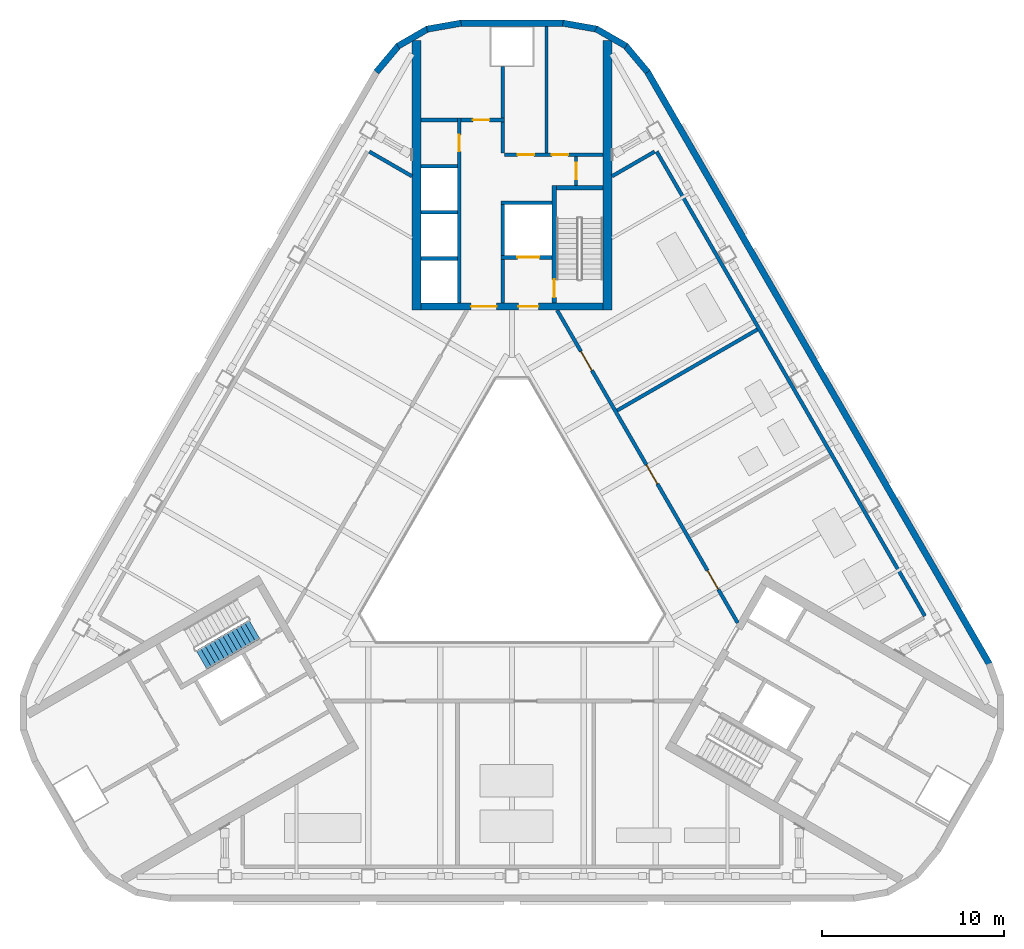
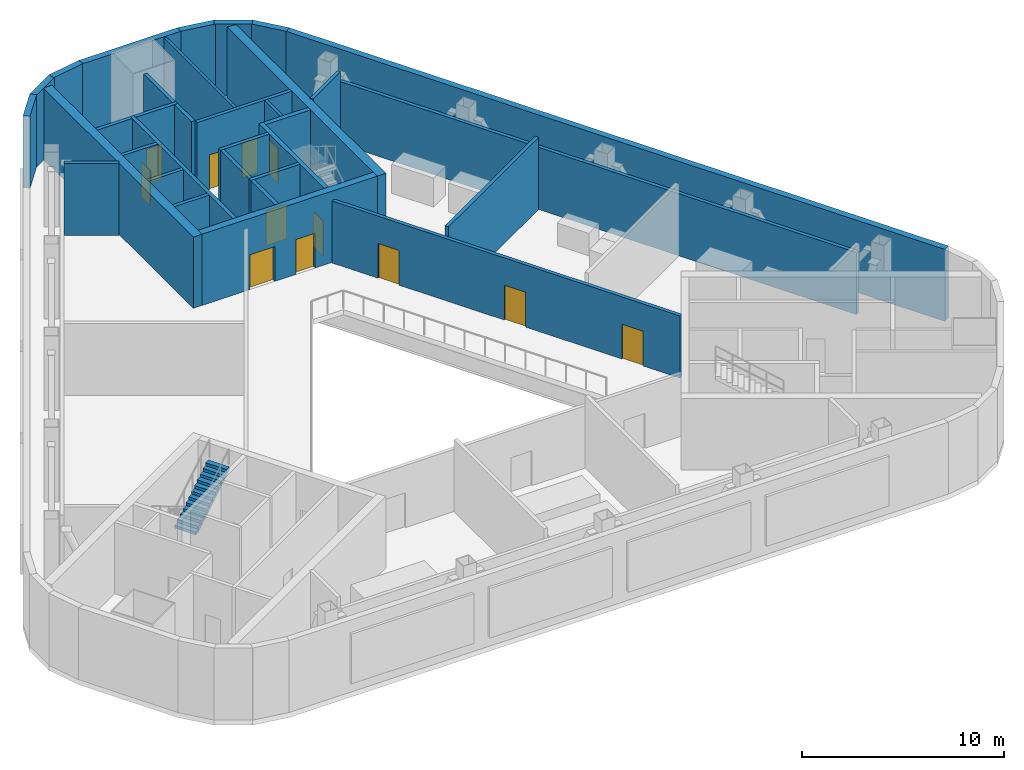
# One storey, part 8 of 14: 33 walls, 12 doors, 1 stair flight, 12 openings, 1 element without a shape of its own.
"""IFC4 building model written with IfcOpenShell, lengths in metres."""

from ifc_helpers import new_model, si_unit, direction, frame, frame_2d, origin, place, context, subcontext, project, spatial, polyline, rectangle, outline, extrude, material, layer, layer_set, type_object, element, fill, aggregate, save


model = new_model("IFC4")

# Units and contexts
model_context = context("Model", 3, precision=1e-05, world=origin(), true_north=direction((0.0, 1.0)))
body_context = subcontext(model_context, "Body", "Model", "MODEL_VIEW")
ifc_project = project(units=[si_unit("LENGTHUNIT", "METRE"), si_unit("AREAUNIT", "SQUARE_METRE"), si_unit("VOLUMEUNIT", "CUBIC_METRE"), si_unit("PLANEANGLEUNIT", "RADIAN"), si_unit("MASSUNIT", "GRAM", prefix="KILO")], contexts=[model_context])

# Site, building, storey
site_placement = place(None, origin())
site = spatial("IfcSite", under=ifc_project, at=site_placement, CompositionType="ELEMENT")
building_placement = place(site_placement, origin())
building = spatial("IfcBuilding", under=site, at=building_placement, Name="Apuvela Tower Hotel", CompositionType="ELEMENT")
storey_placement = place(building_placement, frame((0.0, 0.0, 242.199951171875)))
storey = spatial("IfcBuildingStorey", under=building, at=storey_placement, Name="L59 Plant", CompositionType="ELEMENT", Elevation=242.199951171875)

# Wall, openings, doors
ifc_material_1 = material(Name="Concrete C50/60", Category="concrete")
ifc_layer_1 = layer(ifc_material_1, 0.39990234375)
ifc_layer_set_1 = layer_set([ifc_layer_1], Name="COR-WALL-CORE-400")
wall_type_1 = type_object("IfcWallType", Name="COR-WALL-CORE-400", PredefinedType="SHEAR", material=ifc_layer_set_1)
wall_1_placement = place(storey_placement, frame((5.0, 13.10009765625, 0.0), z_axis=(0.0, 0.0, 1.0), x_axis=(-1.0, 0.0, 0.0)))
wall_1 = element("IfcWall", 1, at=wall_1_placement, inside=storey, type_object=wall_type_1, Name="Core wall N", PredefinedType="SHEAR", context=body_context, shape_type="SweptSolid", body=[
    extrude(rectangle(XDim=10.0, YDim=0.39990234375, at=frame_2d((5.0, 0.0))), origin(), (0.0, 0.0, 1.0), 4.300048828125),
])
opening_1_placement = place(wall_1_placement, frame((3.550048828125, 0.0, 0.0)))
opening_1 = element("IfcOpeningElement", 2, at=opening_1_placement, cuts=wall_1, Name="Opening N-FD", PredefinedType="OPENING", context=body_context, shape_type="SweptSolid", body=[
    extrude(rectangle(XDim=1.10009765625, YDim=2.10009765625, at=frame_2d((0.550048828125, 1.050048828125))), frame((0.0, 0.2099609375, 0.0), z_axis=(0.0, -1.0, 0.0), x_axis=(1.0, 0.0, 0.0)), (0.0, 0.0, 1.0), 0.419921875),
])
opening_2_placement = place(wall_1_placement, frame((5.85009765625, 0.0, 0.0)))
opening_2 = element("IfcOpeningElement", 3, at=opening_2_placement, cuts=wall_1, Name="Opening N-GD", PredefinedType="OPENING", context=body_context, shape_type="SweptSolid", body=[
    extrude(rectangle(XDim=1.39990234375, YDim=2.10009765625, at=frame_2d((0.699951171875, 1.050048828125))), frame((0.0, 0.2099609375, 0.0), z_axis=(0.0, -1.0, 0.0), x_axis=(1.0, 0.0, 0.0)), (0.0, 0.0, 1.0), 0.419921875),
])
ifc_material_2 = material(Name="Steel fire door, powder coated", Category="steel")
door_type_1 = type_object("IfcDoorType", Name="COR-FD-1100", OperationType="NOTDEFINED", PredefinedType="DOOR", material=ifc_material_2)
door_1_placement = place(opening_1_placement, frame((1.10009765625, 0.0, 0.0), z_axis=(0.0, 0.0, 1.0), x_axis=(-1.0, 0.0, 0.0)))
door_1 = element("IfcDoor", 4, at=door_1_placement, inside=storey, type_object=door_type_1, Name="Firefighting lobby door N-FD", OperationType="SINGLE_SWING_LEFT", OverallHeight=2.10009765625, OverallWidth=1.10009765625, PredefinedType="DOOR", context=body_context, shape_type="SweptSolid", body=[
    extrude(rectangle(XDim=1.10009765625, YDim=2.10009765625, at=frame_2d((0.550048828125, 1.050048828125))), frame((0.0, 0.02490234375, 0.0), z_axis=(0.0, -1.0, 0.0), x_axis=(1.0, 0.0, 0.0)), (0.0, 0.0, 1.0), 0.050048828125),
])
fill(opening_1, door_1)
ifc_material_3 = material(Name="Glazed steel fire door", Category="steel")
door_type_2 = type_object("IfcDoorType", Name="COR-GD-1400", OperationType="DOUBLE_DOOR_SINGLE_SWING", PredefinedType="DOOR", material=ifc_material_3)
door_2_placement = place(opening_2_placement, frame((1.39990234375, 0.0, 0.0), z_axis=(0.0, 0.0, 1.0), x_axis=(-1.0, 0.0, 0.0)))
door_2 = element("IfcDoor", 5, at=door_2_placement, inside=storey, type_object=door_type_2, Name="Lift lobby door N-GD", OperationType="DOUBLE_DOOR_SINGLE_SWING", OverallHeight=2.10009765625, OverallWidth=1.39990234375, PredefinedType="DOOR", context=body_context, shape_type="SweptSolid", body=[
    extrude(rectangle(XDim=1.39990234375, YDim=2.10009765625, at=frame_2d((0.699951171875, 1.050048828125))), frame((0.0, 0.02490234375, 0.0), z_axis=(0.0, -1.0, 0.0), x_axis=(1.0, 0.0, 0.0)), (0.0, 0.0, 1.0), 0.050048828125),
])
fill(opening_2, door_2)

# Walls
ifc_layer_2 = layer(ifc_material_1, 0.5)
ifc_layer_set_2 = layer_set([ifc_layer_2], Name="COR-WALL-CORE-500")
wall_type_2 = type_object("IfcWallType", Name="COR-WALL-CORE-500", PredefinedType="SHEAR", material=ifc_layer_set_2)
for number, where, z_axis, x_axis, name in (
    (6, (5.25, 12.89990234375, 0.0), (0.0, 0.0, 1.0), (0.0, 1.0, 0.0), "Core wall N"),
    (7, (-5.25, 12.89990234375, 0.0), (0.0, 0.0, 1.0), (0.0, 1.0, 0.0), "Core wall N"),
):
    element("IfcWall", number, at=place(storey_placement, frame(where, z_axis=z_axis, x_axis=x_axis)), inside=storey, type_object=wall_type_2, Name=name, PredefinedType="SHEAR", context=body_context, shape_type="SweptSolid", body=[
        extrude(rectangle(XDim=14.8369140625, YDim=0.5, at=frame_2d((7.41845703125, 0.0))), origin(), (0.0, 0.0, 1.0), 4.300048828125),
    ])

# Wall, opening, door
ifc_material_4 = material(Name="Blockwork 150 mm plastered", Category="masonry")
ifc_layer_3 = layer(ifc_material_4, 0.14990234375)
ifc_layer_set_3 = layer_set([ifc_layer_3], Name="COR-WALL-PART-150")
wall_type_3 = type_object("IfcWallType", Name="COR-WALL-PART-150", PredefinedType="PARTITIONING", material=ifc_layer_set_3)
wall_2_placement = place(storey_placement, frame((3.52490234375, 19.75, 0.0), z_axis=(0.0, 0.0, 1.0), x_axis=(0.0, 1.0, 0.0)))
wall_2 = element("IfcWall", 8, at=wall_2_placement, inside=storey, type_object=wall_type_3, Name="Partition N", PredefinedType="PARTITIONING", context=body_context, shape_type="SweptSolid", body=[
    extrude(rectangle(XDim=1.60009765625, YDim=0.14990234375, at=frame_2d((0.800048828125, 0.0))), origin(), (0.0, 0.0, 1.0), 4.300048828125),
])
opening_3_placement = place(wall_2_placement, frame((0.35009765625, 0.0, 0.0)))
opening_3 = element("IfcOpeningElement", 9, at=opening_3_placement, cuts=wall_2, Name="Opening N-RD", PredefinedType="OPENING", context=body_context, shape_type="SweptSolid", body=[
    extrude(rectangle(XDim=0.89990234375, YDim=2.10009765625, at=frame_2d((0.449951171875, 1.050048828125))), frame((0.0, 0.0849609375, 0.0), z_axis=(0.0, -1.0, 0.0), x_axis=(1.0, 0.0, 0.0)), (0.0, 0.0, 1.0), 0.169921875),
])
ifc_material_5 = material(Name="Steel access door, powder coated", Category="steel")
door_type_3 = type_object("IfcDoorType", Name="COR-RD-900", OperationType="NOTDEFINED", PredefinedType="DOOR", material=ifc_material_5)
door_3_placement = place(opening_3_placement, frame((0.89990234375, 0.0, 0.0), z_axis=(0.0, 0.0, 1.0), x_axis=(-1.0, 0.0, 0.0)))
door_3 = element("IfcDoor", 10, at=door_3_placement, inside=storey, type_object=door_type_3, Name="Riser door N-RD", OperationType="SINGLE_SWING_RIGHT", OverallHeight=2.10009765625, OverallWidth=0.89990234375, PredefinedType="DOOR", context=body_context, shape_type="SweptSolid", body=[
    extrude(rectangle(XDim=0.89990234375, YDim=2.10009765625, at=frame_2d((0.449951171875, 1.050048828125))), frame((0.0, 0.02490234375, 0.0), z_axis=(0.0, -1.0, 0.0), x_axis=(1.0, 0.0, 0.0)), (0.0, 0.0, 1.0), 0.050048828125),
])
fill(opening_3, door_3)

# Wall
wall_3_placement = place(storey_placement, frame((1.89990234375, 21.550048828125, 0.0), z_axis=(0.0, 0.0, 1.0), x_axis=(0.0, 1.0, 0.0)))
element("IfcWall", 11, at=wall_3_placement, inside=storey, type_object=wall_type_3, Name="Partition N", PredefinedType="PARTITIONING", context=body_context, shape_type="SweptSolid", body=[
    extrude(rectangle(XDim=6.949951171875, YDim=0.14990234375, at=frame_2d((3.47509765625, 0.0))), origin(), (0.0, 0.0, 1.0), 4.300048828125),
])

# Wall, openings, doors
ifc_material_6 = material(Name="Blockwork 200 mm plastered", Category="masonry")
ifc_layer_4 = layer(ifc_material_6, 0.199951171875)
ifc_layer_set_4 = layer_set([ifc_layer_4], Name="COR-WALL-PART-200")
wall_type_4 = type_object("IfcWallType", Name="COR-WALL-PART-200", PredefinedType="PARTITIONING", material=ifc_layer_set_4)
wall_4_placement = place(storey_placement, frame((5.0, 21.449951171875, 0.0), z_axis=(0.0, 0.0, 1.0), x_axis=(-1.0, 0.0, 0.0)))
wall_4 = element("IfcWall", 12, at=wall_4_placement, inside=storey, type_object=wall_type_4, Name="Partition N", PredefinedType="PARTITIONING", context=body_context, shape_type="SweptSolid", body=[
    extrude(rectangle(XDim=5.39990234375, YDim=0.199951171875, at=frame_2d((2.699951171875, 0.0))), origin(), (0.0, 0.0, 1.0), 4.300048828125),
])
opening_4_placement = place(wall_4_placement, frame((1.91259765625, 0.0, 0.0)))
opening_4 = element("IfcOpeningElement", 13, at=opening_4_placement, cuts=wall_4, Name="Opening N-RS1", PredefinedType="OPENING", context=body_context, shape_type="SweptSolid", body=[
    extrude(rectangle(XDim=0.89990234375, YDim=2.10009765625, at=frame_2d((0.449951171875, 1.050048828125))), frame((0.0, 0.10986328125, 0.0), z_axis=(0.0, -1.0, 0.0), x_axis=(1.0, 0.0, 0.0)), (0.0, 0.0, 1.0), 0.219970703125),
])
opening_5_placement = place(wall_4_placement, frame((3.78759765625, 0.0, 0.0)))
opening_5 = element("IfcOpeningElement", 14, at=opening_5_placement, cuts=wall_4, Name="Opening N-RS2", PredefinedType="OPENING", context=body_context, shape_type="SweptSolid", body=[
    extrude(rectangle(XDim=0.89990234375, YDim=2.10009765625, at=frame_2d((0.449951171875, 1.050048828125))), frame((0.0, 0.10986328125, 0.0), z_axis=(0.0, -1.0, 0.0), x_axis=(1.0, 0.0, 0.0)), (0.0, 0.0, 1.0), 0.219970703125),
])
door_type_4 = type_object("IfcDoorType", Name="COR-DR-900", OperationType="NOTDEFINED", PredefinedType="DOOR", material=ifc_material_2)
door_4_placement = place(opening_4_placement, frame((0.89990234375, 0.0, 0.0), z_axis=(0.0, 0.0, 1.0), x_axis=(-1.0, 0.0, 0.0)))
door_4 = element("IfcDoor", 15, at=door_4_placement, inside=storey, type_object=door_type_4, Name="Store door N-RS1", OperationType="SINGLE_SWING_LEFT", OverallHeight=2.10009765625, OverallWidth=0.89990234375, PredefinedType="DOOR", context=body_context, shape_type="SweptSolid", body=[
    extrude(rectangle(XDim=0.89990234375, YDim=2.10009765625, at=frame_2d((0.449951171875, 1.050048828125))), frame((0.0, 0.02490234375, 0.0), z_axis=(0.0, -1.0, 0.0), x_axis=(1.0, 0.0, 0.0)), (0.0, 0.0, 1.0), 0.050048828125),
])
fill(opening_4, door_4)
door_5_placement = place(opening_5_placement, frame((0.89990234375, 0.0, 0.0), z_axis=(0.0, 0.0, 1.0), x_axis=(-1.0, 0.0, 0.0)))
door_5 = element("IfcDoor", 16, at=door_5_placement, inside=storey, type_object=door_type_4, Name="Store door N-RS2", OperationType="SINGLE_SWING_RIGHT", OverallHeight=2.10009765625, OverallWidth=0.89990234375, PredefinedType="DOOR", context=body_context, shape_type="SweptSolid", body=[
    extrude(rectangle(XDim=0.89990234375, YDim=2.10009765625, at=frame_2d((0.449951171875, 1.050048828125))), frame((0.0, 0.02490234375, 0.0), z_axis=(0.0, -1.0, 0.0), x_axis=(1.0, 0.0, 0.0)), (0.0, 0.0, 1.0), 0.050048828125),
])
fill(opening_5, door_5)

# Wall
ifc_layer_5 = layer(ifc_material_1, 0.199951171875)
ifc_layer_set_5 = layer_set([ifc_layer_5], Name="COR-WALL-SHAFT-200")
wall_type_5 = type_object("IfcWallType", Name="COR-WALL-SHAFT-200", PredefinedType="SHEAR", material=ifc_layer_set_5)
wall_5_placement = place(storey_placement, frame((2.199951171875, 18.800048828125, 0.0), z_axis=(0.0, 0.0, 1.0), x_axis=(-1.0, 0.0, 0.0)))
element("IfcWall", 17, at=wall_5_placement, inside=storey, type_object=wall_type_5, Name="Shaft wall N", PredefinedType="SHEAR", context=body_context, shape_type="SweptSolid", body=[
    extrude(rectangle(XDim=2.800048828125, YDim=0.199951171875, at=frame_2d((1.39990234375, 0.0))), origin(), (0.0, 0.0, 1.0), 4.300048828125),
])

# Wall, opening, door
wall_6_placement = place(storey_placement, frame((2.199951171875, 15.800048828125, 0.0), z_axis=(0.0, 0.0, 1.0), x_axis=(-1.0, 0.0, 0.0)))
wall_6 = element("IfcWall", 18, at=wall_6_placement, inside=storey, type_object=wall_type_5, Name="Shaft wall N", PredefinedType="SHEAR", context=body_context, shape_type="SweptSolid", body=[
    extrude(rectangle(XDim=2.800048828125, YDim=0.199951171875, at=frame_2d((1.39990234375, 0.0))), origin(), (0.0, 0.0, 1.0), 4.300048828125),
])
opening_6_placement = place(wall_6_placement, frame((0.699951171875, 0.0, 0.0)))
opening_6 = element("IfcOpeningElement", 19, at=opening_6_placement, cuts=wall_6, Name="Opening N-LD-FS1", PredefinedType="OPENING", context=body_context, shape_type="SweptSolid", body=[
    extrude(rectangle(XDim=1.199951171875, YDim=2.10009765625, at=frame_2d((0.60009765625, 1.050048828125))), frame((0.0, 0.10986328125, 0.0), z_axis=(0.0, -1.0, 0.0), x_axis=(1.0, 0.0, 0.0)), (0.0, 0.0, 1.0), 0.219970703125),
])
ifc_material_7 = material(Name="Stainless steel lift landing door", Category="steel")
door_type_5 = type_object("IfcDoorType", Name="COR-LD-1200", OperationType="DOUBLE_DOOR_SLIDING", PredefinedType="DOOR", material=ifc_material_7)
door_6_placement = place(opening_6_placement, origin())
door_6 = element("IfcDoor", 20, at=door_6_placement, inside=storey, type_object=door_type_5, Name="Lift landing door N-LD-FS1", OperationType="DOUBLE_DOOR_SLIDING", OverallHeight=2.10009765625, OverallWidth=1.199951171875, PredefinedType="DOOR", context=body_context, shape_type="SweptSolid", body=[
    extrude(rectangle(XDim=1.199951171875, YDim=2.10009765625, at=frame_2d((0.60009765625, 1.050048828125))), frame((0.0, 0.02490234375, 0.0), z_axis=(0.0, -1.0, 0.0), x_axis=(1.0, 0.0, 0.0)), (0.0, 0.0, 1.0), 0.050048828125),
])
fill(opening_6, door_6)

# Walls
wall_7_placement = place(storey_placement, frame((-0.5, 15.89990234375, 0.0), z_axis=(0.0, 0.0, 1.0), x_axis=(0.0, 1.0, 0.0)))
element("IfcWall", 21, at=wall_7_placement, inside=storey, type_object=wall_type_5, Name="Shaft wall N", PredefinedType="SHEAR", context=body_context, shape_type="SweptSolid", body=[
    extrude(rectangle(XDim=2.800048828125, YDim=0.199951171875, at=frame_2d((1.39990234375, 0.0))), origin(), (0.0, 0.0, 1.0), 4.300048828125),
])
wall_8_placement = place(storey_placement, frame((-0.5, 13.300048828125, 0.0), z_axis=(0.0, 0.0, 1.0), x_axis=(0.0, 1.0, 0.0)))
element("IfcWall", 22, at=wall_8_placement, inside=storey, type_object=wall_type_5, Name="Shaft wall N", PredefinedType="SHEAR", context=body_context, shape_type="SweptSolid", body=[
    extrude(rectangle(XDim=2.39990234375, YDim=0.199951171875, at=frame_2d((1.199951171875, 0.0))), origin(), (0.0, 0.0, 1.0), 4.300048828125),
])

# Wall, opening, door
wall_9_placement = place(storey_placement, frame((-2.89990234375, 13.300048828125, 0.0), z_axis=(0.0, 0.0, 1.0), x_axis=(0.0, 1.0, 0.0)))
wall_9 = element("IfcWall", 23, at=wall_9_placement, inside=storey, type_object=wall_type_5, Name="Shaft wall N", PredefinedType="SHEAR", context=body_context, shape_type="SweptSolid", body=[
    extrude(rectangle(XDim=10.159912109375, YDim=0.199951171875, at=frame_2d((5.080078125, 0.0))), origin(), (0.0, 0.0, 1.0), 4.300048828125),
])
opening_7_placement = place(wall_9_placement, frame((8.340087890625, 0.0, 0.0)))
opening_7 = element("IfcOpeningElement", 24, at=opening_7_placement, cuts=wall_9, Name="Opening N-RE4", PredefinedType="OPENING", context=body_context, shape_type="SweptSolid", body=[
    extrude(rectangle(XDim=0.89990234375, YDim=2.10009765625, at=frame_2d((0.449951171875, 1.050048828125))), frame((0.0, 0.10986328125, 0.0), z_axis=(0.0, -1.0, 0.0), x_axis=(1.0, 0.0, 0.0)), (0.0, 0.0, 1.0), 0.219970703125),
])
door_7_placement = place(opening_7_placement, origin())
door_7 = element("IfcDoor", 25, at=door_7_placement, inside=storey, type_object=door_type_4, Name="Store door N-RE4", OperationType="SINGLE_SWING_LEFT", OverallHeight=2.10009765625, OverallWidth=0.89990234375, PredefinedType="DOOR", context=body_context, shape_type="SweptSolid", body=[
    extrude(rectangle(XDim=0.89990234375, YDim=2.10009765625, at=frame_2d((0.449951171875, 1.050048828125))), frame((0.0, 0.02490234375, 0.0), z_axis=(0.0, -1.0, 0.0), x_axis=(1.0, 0.0, 0.0)), (0.0, 0.0, 1.0), 0.050048828125),
])
fill(opening_7, door_7)

wall_10_placement = place(storey_placement, frame((-0.39990234375, 23.360107421875, 0.0), z_axis=(0.0, 0.0, 1.0), x_axis=(-1.0, 0.0, 0.0)))
wall_10 = element("IfcWall", 26, at=wall_10_placement, inside=storey, type_object=wall_type_5, Name="Shaft wall N", PredefinedType="SHEAR", context=body_context, shape_type="SweptSolid", body=[
    extrude(rectangle(XDim=2.400146484375, YDim=0.199951171875, at=frame_2d((1.2001953125, 0.0))), origin(), (0.0, 0.0, 1.0), 4.300048828125),
])
opening_8_placement = place(wall_10_placement, frame((0.85009765625, 0.0, 0.0)))
opening_8 = element("IfcOpeningElement", 27, at=opening_8_placement, cuts=wall_10, Name="Opening N-REP", PredefinedType="OPENING", context=body_context, shape_type="SweptSolid", body=[
    extrude(rectangle(XDim=0.89990234375, YDim=2.10009765625, at=frame_2d((0.449951171875, 1.050048828125))), frame((0.0, 0.10986328125, 0.0), z_axis=(0.0, -1.0, 0.0), x_axis=(1.0, 0.0, 0.0)), (0.0, 0.0, 1.0), 0.219970703125),
])
door_8_placement = place(opening_8_placement, frame((0.89990234375, 0.0, 0.0), z_axis=(0.0, 0.0, 1.0), x_axis=(-1.0, 0.0, 0.0)))
door_8 = element("IfcDoor", 28, at=door_8_placement, inside=storey, type_object=door_type_4, Name="Store door N-REP", OperationType="SINGLE_SWING_LEFT", OverallHeight=2.10009765625, OverallWidth=0.89990234375, PredefinedType="DOOR", context=body_context, shape_type="SweptSolid", body=[
    extrude(rectangle(XDim=0.89990234375, YDim=2.10009765625, at=frame_2d((0.449951171875, 1.050048828125))), frame((0.0, 0.02490234375, 0.0), z_axis=(0.0, -1.0, 0.0), x_axis=(1.0, 0.0, 0.0)), (0.0, 0.0, 1.0), 0.050048828125),
])
fill(opening_8, door_8)

# Walls
wall_11_placement = place(storey_placement, frame((-0.5, 21.550048828125, 0.0), z_axis=(0.0, 0.0, 1.0), x_axis=(0.0, 1.0, 0.0)))
element("IfcWall", 29, at=wall_11_placement, inside=storey, type_object=wall_type_5, Name="Shaft wall N", PredefinedType="SHEAR", context=body_context, shape_type="SweptSolid", body=[
    extrude(rectangle(XDim=1.7099609375, YDim=0.199951171875, at=frame_2d((0.85498046875, 0.0))), origin(), (0.0, 0.0, 1.0), 4.300048828125),
])
for number, where, z_axis, x_axis, name in (
    (30, (-3.0, 15.739990234375, 0.0), (0.0, 0.0, 1.0), (-1.0, 0.0, 0.0), "Shaft wall N"),
    (31, (-3.0, 18.280029296875, 0.0), (0.0, 0.0, 1.0), (-1.0, 0.0, 0.0), "Shaft wall N"),
    (32, (-3.0, 20.820068359375, 0.0), (0.0, 0.0, 1.0), (-1.0, 0.0, 0.0), "Shaft wall N"),
    (33, (-3.0, 23.360107421875, 0.0), (0.0, 0.0, 1.0), (-1.0, 0.0, 0.0), "Shaft wall N"),
):
    element("IfcWall", number, at=place(storey_placement, frame(where, z_axis=z_axis, x_axis=x_axis)), inside=storey, type_object=wall_type_5, Name=name, PredefinedType="SHEAR", context=body_context, shape_type="SweptSolid", body=[
        extrude(rectangle(XDim=2.0, YDim=0.199951171875, at=frame_2d((1.0, 0.0))), origin(), (0.0, 0.0, 1.0), 4.300048828125),
    ])
wall_12_placement = place(storey_placement, frame((-0.5, 23.4599609375, 0.0), z_axis=(0.0, 0.0, 1.0), x_axis=(0.0, 1.0, 0.0)))
element("IfcWall", 34, at=wall_12_placement, inside=storey, type_object=wall_type_5, Name="Shaft wall N", PredefinedType="SHEAR", context=body_context, shape_type="SweptSolid", body=[
    extrude(rectangle(XDim=2.840087890625, YDim=0.199951171875, at=frame_2d((1.419921875, 0.0))), origin(), (0.0, 0.0, 1.0), 4.300048828125),
])

# Wall, opening, door
ifc_layer_6 = layer(ifc_material_1, 0.25)
ifc_layer_set_6 = layer_set([ifc_layer_6], Name="COR-WALL-STAIR-250")
wall_type_6 = type_object("IfcWallType", Name="COR-WALL-STAIR-250", PredefinedType="SHEAR", material=ifc_layer_set_6)
wall_13_placement = place(storey_placement, frame((2.324951171875, 13.300048828125, 0.0), z_axis=(0.0, 0.0, 1.0), x_axis=(0.0, 1.0, 0.0)))
wall_13 = element("IfcWall", 35, at=wall_13_placement, inside=storey, type_object=wall_type_6, Name="Stair wall N", PredefinedType="SHEAR", context=body_context, shape_type="SweptSolid", body=[
    extrude(rectangle(XDim=6.449951171875, YDim=0.25, at=frame_2d((3.22509765625, 0.0))), origin(), (0.0, 0.0, 1.0), 4.300048828125),
])
opening_9_placement = place(wall_13_placement, frame((0.300048828125, 0.0, 0.0)))
opening_9 = element("IfcOpeningElement", 36, at=opening_9_placement, cuts=wall_13, Name="Opening N-SD", PredefinedType="OPENING", context=body_context, shape_type="SweptSolid", body=[
    extrude(rectangle(XDim=1.0, YDim=2.10009765625, at=frame_2d((0.5, 1.050048828125))), frame((0.0, 0.135009765625, 0.0), z_axis=(0.0, -1.0, 0.0), x_axis=(1.0, 0.0, 0.0)), (0.0, 0.0, 1.0), 0.27001953125),
])
door_type_6 = type_object("IfcDoorType", Name="COR-SD-1000", OperationType="NOTDEFINED", PredefinedType="DOOR", material=ifc_material_2)
door_9_placement = place(opening_9_placement, frame((1.0, 0.0, 0.0), z_axis=(0.0, 0.0, 1.0), x_axis=(-1.0, 0.0, 0.0)))
door_9 = element("IfcDoor", 37, at=door_9_placement, inside=storey, type_object=door_type_6, Name="Stair door N-SD", OperationType="SINGLE_SWING_LEFT", OverallHeight=2.10009765625, OverallWidth=1.0, PredefinedType="DOOR", context=body_context, shape_type="SweptSolid", body=[
    extrude(rectangle(XDim=1.0, YDim=2.10009765625, at=frame_2d((0.5, 1.050048828125))), frame((0.0, 0.02490234375, 0.0), z_axis=(0.0, -1.0, 0.0), x_axis=(1.0, 0.0, 0.0)), (0.0, 0.0, 1.0), 0.050048828125),
])
fill(opening_9, door_9)

# Walls
wall_14_placement = place(storey_placement, frame((5.0, 19.625, 0.0), z_axis=(0.0, 0.0, 1.0), x_axis=(-1.0, 0.0, 0.0)))
element("IfcWall", 38, at=wall_14_placement, inside=storey, type_object=wall_type_6, Name="Stair wall N", PredefinedType="SHEAR", context=body_context, shape_type="SweptSolid", body=[
    extrude(rectangle(XDim=2.550048828125, YDim=0.25, at=frame_2d((1.27490234375, 0.0))), origin(), (0.0, 0.0, 1.0), 4.300048828125),
])
ifc_material_8 = material(Name="Concrete C40/50, dark pigmented precast panel", Category="concrete")
ifc_layer_7 = layer(ifc_material_8, 0.35009765625)
ifc_layer_set_7 = layer_set([ifc_layer_7], Name="ENV-WALL-350")
wall_type_7 = type_object("IfcWallType", Name="ENV-WALL-350", PredefinedType="SOLIDWALL", material=ifc_layer_set_7)
for number, where, z_axis, x_axis, name in (
    (39, (6.27685546875, 27.421630859375, 0.0), (0.0, 0.0, 1.0), (-0.866032345022, 0.499987977232, 0.0), "External wall L59 Plant-01"),
    (40, (4.6796875, 28.35595703125, 0.0), (0.0, 0.0, 1.0), (-0.984798995425, 0.173697837091, 0.0), "External wall L59 Plant-02"),
):
    element("IfcWall", number, at=place(storey_placement, frame(where, z_axis=z_axis, x_axis=x_axis)), inside=storey, type_object=wall_type_7, Name=name, PredefinedType="SOLIDWALL", context=body_context, shape_type="SweptSolid", body=[
        extrude(rectangle(XDim=1.91015625, YDim=0.35009765625, at=frame_2d((0.955078125, 0.0))), origin(), (0.0, 0.0, 1.0), 4.35009765625),
    ])
wall_15_placement = place(storey_placement, frame((2.8291015625, 28.68505859375, 0.0), z_axis=(0.0, 0.0, 1.0), x_axis=(-1.0, 0.0, 0.0)))
element("IfcWall", 41, at=wall_15_placement, inside=storey, type_object=wall_type_7, Name="External wall L59 Plant-03", PredefinedType="SOLIDWALL", context=body_context, shape_type="SweptSolid", body=[
    extrude(rectangle(XDim=5.658203125, YDim=0.35009765625, at=frame_2d((2.8291015625, 0.0))), origin(), (0.0, 0.0, 1.0), 4.35009765625),
])
for number, where, z_axis, x_axis, name in (
    (42, (-2.798583984375, 28.687744140625, 0.0), (0.0, 0.0, 1.0), (-0.984798995425, -0.173697837091, 0.0), "External wall L59 Plant-04"),
    (43, (-4.62255859375, 28.376708984375, 0.0), (0.0, 0.0, 1.0), (-0.866032345022, -0.499987977232, 0.0), "External wall L59 Plant-05"),
):
    element("IfcWall", number, at=place(storey_placement, frame(where, z_axis=z_axis, x_axis=x_axis)), inside=storey, type_object=wall_type_7, Name=name, PredefinedType="SOLIDWALL", context=body_context, shape_type="SweptSolid", body=[
        extrude(rectangle(XDim=1.91015625, YDim=0.35009765625, at=frame_2d((0.955078125, 0.0))), origin(), (0.0, 0.0, 1.0), 4.35009765625),
    ])
wall_16_placement = place(storey_placement, frame((-6.230224609375, 27.460693359375, 0.0), z_axis=(0.0, 0.0, 1.0), x_axis=(-0.642808304945, -0.766027077259, 0.0)))
element("IfcWall", 44, at=wall_16_placement, inside=storey, type_object=wall_type_7, Name="External wall L59 Plant-06", PredefinedType="SOLIDWALL", context=body_context, shape_type="SweptSolid", body=[
    extrude(rectangle(XDim=1.909912109375, YDim=0.35009765625, at=frame_2d((0.955078125, 0.0))), origin(), (0.0, 0.0, 1.0), 4.35009765625),
])
wall_17_placement = place(storey_placement, frame((26.25634765625, -6.5673828125, 0.0), z_axis=(0.0, 0.0, 1.0), x_axis=(-0.499998380999, 0.866026338513, 0.0)))
element("IfcWall", 45, at=wall_17_placement, inside=storey, type_object=wall_type_7, Name="External wall L59 Plant-23", PredefinedType="SOLIDWALL", context=body_context, shape_type="SweptSolid", body=[
    extrude(rectangle(XDim=37.63134765625, YDim=0.35009765625, at=frame_2d((18.815673828125, 0.0))), origin(), (0.0, 0.0, 1.0), 4.35009765625),
])
wall_18_placement = place(storey_placement, frame((7.4580078125, 25.99755859375, 0.0), z_axis=(0.0, 0.0, 1.0), x_axis=(-0.642808304945, 0.766027077259, 0.0)))
element("IfcWall", 46, at=wall_18_placement, inside=storey, type_object=wall_type_7, Name="External wall L59 Plant-24", PredefinedType="SOLIDWALL", context=body_context, shape_type="SweptSolid", body=[
    extrude(rectangle(XDim=1.909912109375, YDim=0.35009765625, at=frame_2d((0.955078125, 0.0))), origin(), (0.0, 0.0, 1.0), 4.35009765625),
])
ifc_material_9 = material(Name="Reinforced blockwork B15", Category="masonry")
ifc_layer_8 = layer(ifc_material_9, 0.199951171875)
ifc_layer_set_8 = layer_set([ifc_layer_8], Name="SPC-WALL-PLANT")
wall_type_8 = type_object("IfcWallType", Name="SPC-WALL-PLANT", PredefinedType="PARTITIONING", material=ifc_layer_set_8)
wall_19_placement = place(storey_placement, frame((13.496337890625, 11.83349609375, 0.0), z_axis=(0.0, 0.0, 1.0), x_axis=(-0.866029443717, -0.499993002566, 0.0)))
element("IfcWall", 47, at=wall_19_placement, inside=storey, type_object=wall_type_8, Name="Wall L59-NE-P05", PredefinedType="PARTITIONING", context=body_context, shape_type="SweptSolid", body=[
    extrude(rectangle(XDim=8.905029296875, YDim=0.199951171875, at=frame_2d((4.45263671875, 0.0))), origin(), (0.0, 0.0, 1.0), 4.35009765625),
])
wall_20_placement = place(storey_placement, frame((7.846435546875, 21.61962890625, 0.0), z_axis=(0.0, 0.0, 1.0), x_axis=(-0.866022026288, -0.50000584995, 0.0)))
element("IfcWall", 48, at=wall_20_placement, inside=storey, type_object=wall_type_8, Name="Wall L59-NE-P06", PredefinedType="PARTITIONING", context=body_context, shape_type="SweptSolid", body=[
    extrude(rectangle(XDim=2.70947265625, YDim=0.199951171875, at=frame_2d((1.354736328125, 0.0))), origin(), (0.0, 0.0, 1.0), 4.35009765625),
])
wall_21_placement = place(storey_placement, frame((22.7080078125, -3.92138671875, 0.0), z_axis=(0.0, 0.0, 1.0), x_axis=(-0.499998500593, 0.866026269466, 0.0)))
element("IfcWall", 49, at=wall_21_placement, inside=storey, type_object=wall_type_8, Name="Wall L59-NE-FUR1", PredefinedType="PARTITIONING", context=body_context, shape_type="SweptSolid", body=[
    extrude(rectangle(XDim=29.5, YDim=0.199951171875, at=frame_2d((14.75, 0.0))), origin(), (0.0, 0.0, 1.0), 3.75),
])

# Wall, openings, doors
wall_22_placement = place(storey_placement, frame((12.4130859375, -4.300048828125, 0.0), z_axis=(0.0, 0.0, 1.0), x_axis=(-0.50000478328, 0.866022642139, 0.0)))
wall_22 = element("IfcWall", 50, at=wall_22_placement, inside=storey, type_object=wall_type_8, Name="Wall L59-NE-CW", PredefinedType="PARTITIONING", context=body_context, shape_type="SweptSolid", body=[
    extrude(rectangle(XDim=19.861083984375, YDim=0.199951171875, at=frame_2d((9.9306640625, 0.0))), origin(), (0.0, 0.0, 1.0), 3.75),
])
opening_10_placement = place(wall_22_placement, frame((2.12109375, 0.0, 0.0)))
opening_10 = element("IfcOpeningElement", 51, at=opening_10_placement, cuts=wall_22, Name="Opening L59-S01", PredefinedType="OPENING", context=body_context, shape_type="SweptSolid", body=[
    extrude(rectangle(XDim=1.199951171875, YDim=2.10009765625, at=frame_2d((0.60009765625, 1.050048828125))), frame((0.0, 0.10986328125, 0.0), z_axis=(0.0, -1.0, 0.0), x_axis=(1.0, 0.0, 0.0)), (0.0, 0.0, 1.0), 0.219970703125),
])
opening_11_placement = place(wall_22_placement, frame((8.83056640625, 0.0, 0.0)))
opening_11 = element("IfcOpeningElement", 52, at=opening_11_placement, cuts=wall_22, Name="Opening L59-S02", PredefinedType="OPENING", context=body_context, shape_type="SweptSolid", body=[
    extrude(rectangle(XDim=1.199951171875, YDim=2.10009765625, at=frame_2d((0.60009765625, 1.050048828125))), frame((0.0, 0.10986328125, 0.0), z_axis=(0.0, -1.0, 0.0), x_axis=(1.0, 0.0, 0.0)), (0.0, 0.0, 1.0), 0.219970703125),
])
opening_12_placement = place(wall_22_placement, frame((16.0400390625, 0.0, 0.0)))
opening_12 = element("IfcOpeningElement", 53, at=opening_12_placement, cuts=wall_22, Name="Opening L59-S03", PredefinedType="OPENING", context=body_context, shape_type="SweptSolid", body=[
    extrude(rectangle(XDim=1.199951171875, YDim=2.10009765625, at=frame_2d((0.60009765625, 1.050048828125))), frame((0.0, 0.10986328125, 0.0), z_axis=(0.0, -1.0, 0.0), x_axis=(1.0, 0.0, 0.0)), (0.0, 0.0, 1.0), 0.219970703125),
])
ifc_material_10 = material(Name="Steel fire door leaf", Category="steel")
door_type_7 = type_object("IfcDoorType", Name="SPC-DOOR-1200-PLANT", OperationType="NOTDEFINED", PredefinedType="DOOR", material=ifc_material_10)
door_10_placement = place(opening_10_placement, frame((1.199951171875, 0.0, 0.0), z_axis=(0.0, 0.0, 1.0), x_axis=(-1.0, 0.0, 0.0)))
door_10 = element("IfcDoor", 54, at=door_10_placement, inside=storey, type_object=door_type_7, Name="L59-S01", OperationType="SINGLE_SWING_RIGHT", OverallHeight=2.10009765625, OverallWidth=1.199951171875, PredefinedType="DOOR", context=body_context, shape_type="SweptSolid", body=[
    extrude(rectangle(XDim=1.199951171875, YDim=2.10009765625, at=frame_2d((0.60009765625, 1.050048828125))), frame((0.0, 0.02490234375, 0.0), z_axis=(0.0, -1.0, 0.0), x_axis=(1.0, 0.0, 0.0)), (0.0, 0.0, 1.0), 0.050048828125),
])
fill(opening_10, door_10)
door_11_placement = place(opening_11_placement, frame((1.199951171875, 0.0, 0.0), z_axis=(0.0, 0.0, 1.0), x_axis=(-1.0, 0.0, 0.0)))
door_11 = element("IfcDoor", 55, at=door_11_placement, inside=storey, type_object=door_type_7, Name="L59-S02", OperationType="SINGLE_SWING_LEFT", OverallHeight=2.10009765625, OverallWidth=1.199951171875, PredefinedType="DOOR", context=body_context, shape_type="SweptSolid", body=[
    extrude(rectangle(XDim=1.199951171875, YDim=2.10009765625, at=frame_2d((0.60009765625, 1.050048828125))), frame((0.0, 0.02490234375, 0.0), z_axis=(0.0, -1.0, 0.0), x_axis=(1.0, 0.0, 0.0)), (0.0, 0.0, 1.0), 0.050048828125),
])
fill(opening_11, door_11)
door_12_placement = place(opening_12_placement, frame((1.199951171875, 0.0, 0.0), z_axis=(0.0, 0.0, 1.0), x_axis=(-1.0, 0.0, 0.0)))
door_12 = element("IfcDoor", 56, at=door_12_placement, inside=storey, type_object=door_type_7, Name="L59-S03", OperationType="SINGLE_SWING_RIGHT", OverallHeight=2.10009765625, OverallWidth=1.199951171875, PredefinedType="DOOR", context=body_context, shape_type="SweptSolid", body=[
    extrude(rectangle(XDim=1.199951171875, YDim=2.10009765625, at=frame_2d((0.60009765625, 1.050048828125))), frame((0.0, 0.02490234375, 0.0), z_axis=(0.0, -1.0, 0.0), x_axis=(1.0, 0.0, 0.0)), (0.0, 0.0, 1.0), 0.050048828125),
])
fill(opening_12, door_12)

# Wall
wall_23_placement = place(storey_placement, frame((-7.846435546875, 21.61962890625, 0.0), z_axis=(0.0, 0.0, 1.0), x_axis=(0.866022026288, -0.50000584995, 0.0)))
element("IfcWall", 57, at=wall_23_placement, inside=storey, type_object=wall_type_8, Name="Wall L59-NW-P03", PredefinedType="PARTITIONING", context=body_context, shape_type="SweptSolid", body=[
    extrude(rectangle(XDim=2.70947265625, YDim=0.199951171875, at=frame_2d((1.354736328125, 0.0))), origin(), (0.0, 0.0, 1.0), 4.35009765625),
])

# Stair, stair flight
stair_type = type_object("IfcStairType", Name="COR-STAIR-26R", PredefinedType="HALF_TURN_STAIR", material=ifc_material_1)
stair_placement = place(storey_placement, origin())
stair = element("IfcStair", 58, at=stair_placement, inside=storey, type_object=stair_type, Name="L59 Plant Exit stair ST2", PredefinedType="HALF_TURN_STAIR")
stair_flight_type = type_object("IfcStairFlightType", Name="COR-FLIGHT-13R", PredefinedType="STRAIGHT", material=ifc_material_1)
stair_flight_placement = place(storey_placement, frame((-17.078857421875, -6.338623046875, 2.25), z_axis=(0.0, 0.0, 1.0), x_axis=(0.866025403784, 0.5, 0.0)))
stair_flight = element("IfcStairFlight", 59, at=stair_flight_placement, type_object=stair_flight_type, Name="ST2 flight 2", NumberOfRisers=13, NumberOfTreads=12, PredefinedType="STRAIGHT", RiserHeight=0.173076923, TreadLength=0.28, context=body_context, shape_type="SweptSolid", body=[
    extrude(outline(polyline([(0.0, 0.0), (0.0, 0.173095703125), (0.280029296875, 0.173095703125), (0.280029296875, 0.34619140625), (0.56005859375, 0.34619140625), (0.56005859375, 0.519287109375), (0.840087890625, 0.519287109375), (0.840087890625, 0.6923828125), (1.1201171875, 0.6923828125), (1.1201171875, 0.865478515625), (1.39990234375, 0.865478515625), (1.39990234375, 1.03857421875), (1.679931640625, 1.03857421875), (1.679931640625, 1.21142578125), (1.9599609375, 1.21142578125), (1.9599609375, 1.384521484375), (2.239990234375, 1.384521484375), (2.239990234375, 1.5576171875), (2.52001953125, 1.5576171875), (2.52001953125, 1.730712890625), (2.800048828125, 1.730712890625), (2.800048828125, 1.90380859375), (3.080078125, 1.90380859375), (3.080078125, 2.076904296875), (3.360107421875, 2.076904296875), (3.360107421875, 2.25), (3.360107421875, 1.900634765625), (0.28515625, 0.0), (0.0, 0.0)])), frame((0.0, 0.60009765625, 0.0), z_axis=(0.0, -1.0, 0.0), x_axis=(1.0, 0.0, 0.0)), (0.0, 0.0, 1.0), 1.199951171875),
])
aggregate(stair, [stair_flight])

save(model, "model.ifc")
